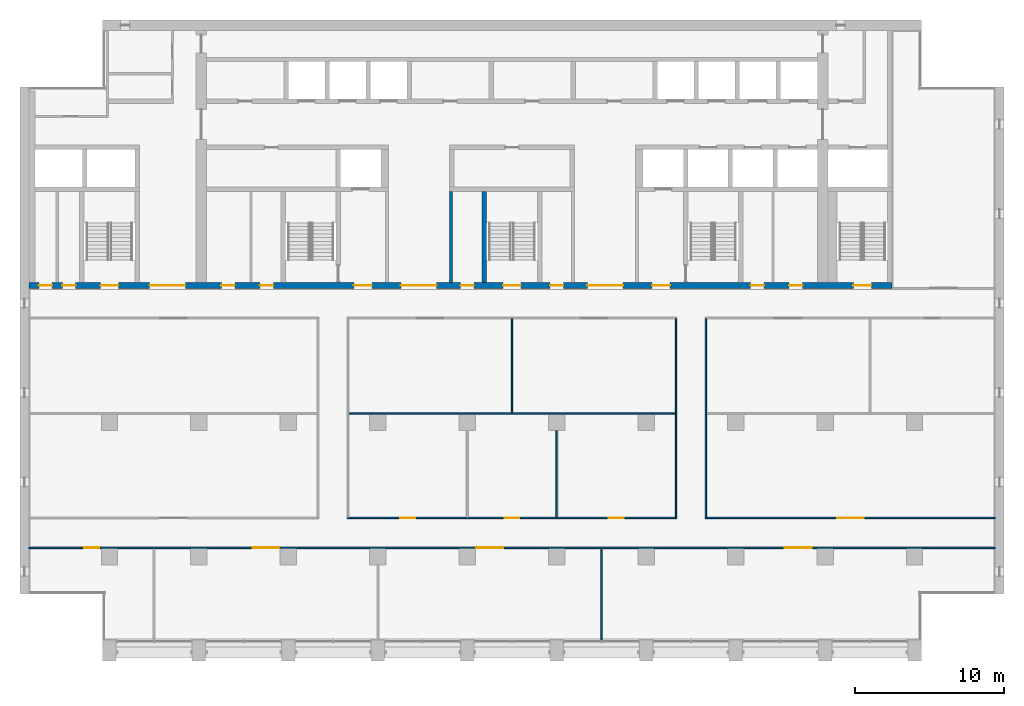
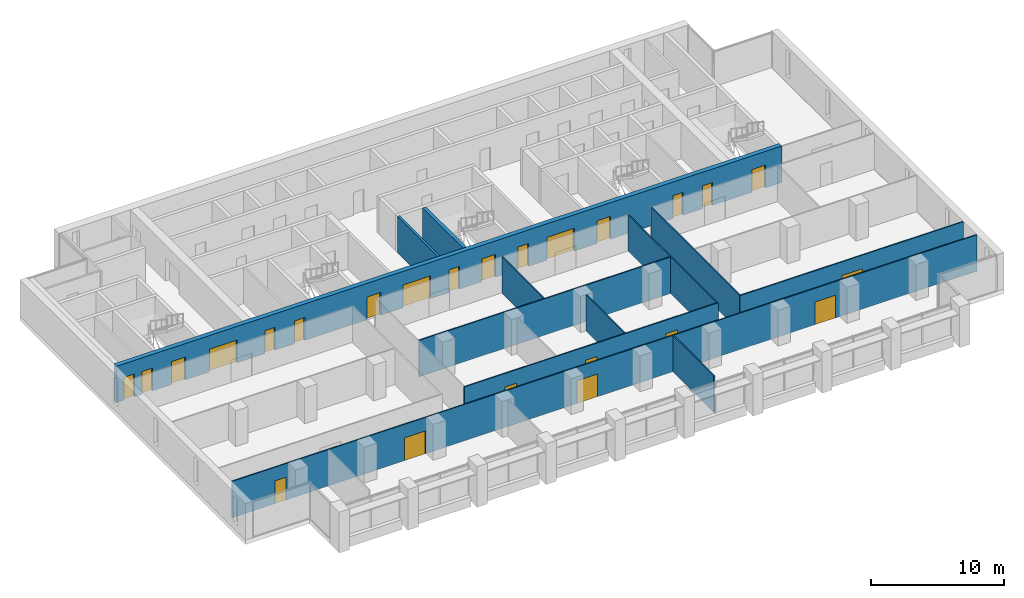
# One storey, part 9 of 17: 24 doors, 12 walls, 24 openings.
"""IFC4 building model written with IfcOpenShell, lengths in metres."""

from ifc_helpers import new_model, si_unit, direction, frame, frame_2d, origin, place, context, subcontext, project, spatial, rectangle, extrude, material, layer, layer_set, type_object, element, fill, save


model = new_model("IFC4")

# Units and contexts
model_context = context("Model", 3, precision=1e-05, world=origin(), true_north=direction((0.0, 1.0)))
body_context = subcontext(model_context, "Body", "Model", "MODEL_VIEW")
ifc_project = project(units=[si_unit("LENGTHUNIT", "METRE"), si_unit("AREAUNIT", "SQUARE_METRE"), si_unit("VOLUMEUNIT", "CUBIC_METRE"), si_unit("PLANEANGLEUNIT", "RADIAN"), si_unit("MASSUNIT", "GRAM", prefix="KILO")], contexts=[model_context])

# Site, building, storey
site_placement = place(None, origin())
site = spatial("IfcSite", under=ifc_project, at=site_placement, CompositionType="ELEMENT")
building_placement = place(site_placement, origin())
building = spatial("IfcBuilding", under=site, at=building_placement, Name="Calvaro Tower", CompositionType="ELEMENT")
storey_placement = place(building_placement, frame((0.0, 0.0, 189.25)))
storey = spatial("IfcBuildingStorey", under=building, at=storey_placement, Name="L47", CompositionType="ELEMENT", Elevation=189.25)

# Walls
ifc_material_1 = material(Name="Blockwork partition", Category="masonry")
ifc_layer_1 = layer(ifc_material_1, 0.199951171875)
ifc_layer_set_1 = layer_set([ifc_layer_1], Name="Blockwork partition")
wall_type_1 = type_object("IfcWallType", Name="Core partition 200 REI 120", PredefinedType="PARTITIONING", material=ifc_layer_set_1)
wall_1_placement = place(storey_placement, frame((34.89990234375, 28.39990234375, 0.0), z_axis=(0.0, 0.0, 1.0), x_axis=(0.0, 1.0, 0.0)))
element("IfcWall", 1, at=wall_1_placement, inside=storey, type_object=wall_type_1, Name="Core partition", PredefinedType="PARTITIONING", context=body_context, shape_type="SweptSolid", body=[
    extrude(rectangle(XDim=6.10009765625, YDim=0.199951171875, at=frame_2d((3.050048828125, 0.0))), origin(), (0.0, 0.0, 1.0), 3.35009765625),
])
ifc_material_2 = material(Name="Concrete C50/60", Category="concrete")
ifc_layer_2 = layer(ifc_material_2, 0.300048828125)
ifc_layer_set_2 = layer_set([ifc_layer_2], Name="Concrete C50/60")
wall_type_2 = type_object("IfcWallType", Name="Core wall C50/60 300", PredefinedType="SHEAR", material=ifc_layer_set_2)
wall_2_placement = place(storey_placement, frame((37.14990234375, 28.39990234375, 0.0), z_axis=(0.0, 0.0, 1.0), x_axis=(0.0, 1.0, 0.0)))
element("IfcWall", 2, at=wall_2_placement, inside=storey, type_object=wall_type_2, Name="Core wall, stair enclosure", PredefinedType="SHEAR", context=body_context, shape_type="SweptSolid", body=[
    extrude(rectangle(XDim=6.10009765625, YDim=0.300048828125, at=frame_2d((3.050048828125, 0.0))), origin(), (0.0, 0.0, 1.0), 3.35009765625),
])

# Wall, openings, doors
ifc_material_3 = material(Name="Concrete C50/60", Category="concrete")
ifc_layer_3 = layer(ifc_material_3, 0.39990234375)
ifc_layer_set_3 = layer_set([ifc_layer_3], Name="Concrete C50/60")
wall_type_3 = type_object("IfcWallType", Name="Core wall C50/60 400", PredefinedType="SHEAR", material=ifc_layer_set_3)
wall_3_placement = place(storey_placement, frame((6.60009765625, 28.199951171875, 0.0), z_axis=(0.0, 0.0, 1.0), x_axis=(1.0, 0.0, 0.0)))
wall_3 = element("IfcWall", 3, at=wall_3_placement, inside=storey, type_object=wall_type_3, Name="Core wall, front", PredefinedType="SHEAR", context=body_context, shape_type="SweptSolid", body=[
    extrude(rectangle(XDim=57.89990234375, YDim=0.39990234375, at=frame_2d((28.949951171875, 0.0))), origin(), (0.0, 0.0, 1.0), 3.35009765625),
])
opening_1_placement = place(wall_3_placement, frame((12.91259765625, 0.0, 0.0)))
opening_1 = element("IfcOpeningElement", 4, at=opening_1_placement, cuts=wall_3, Name="Opening RD9E", PredefinedType="OPENING", context=body_context, shape_type="SweptSolid", body=[
    extrude(rectangle(XDim=0.89990234375, YDim=2.10009765625, at=frame_2d((0.449951171875, 1.050048828125))), frame((0.0, 0.2099609375, 0.0), z_axis=(0.0, -1.0, 0.0), x_axis=(1.0, 0.0, 0.0)), (0.0, 0.0, 1.0), 0.419921875),
])
opening_2_placement = place(wall_3_placement, frame((15.487548828125, 0.0, 0.0)))
opening_2 = element("IfcOpeningElement", 5, at=opening_2_placement, cuts=wall_3, Name="Opening RD9E", PredefinedType="OPENING", context=body_context, shape_type="SweptSolid", body=[
    extrude(rectangle(XDim=0.89990234375, YDim=2.10009765625, at=frame_2d((0.449951171875, 1.050048828125))), frame((0.0, 0.2099609375, 0.0), z_axis=(0.0, -1.0, 0.0), x_axis=(1.0, 0.0, 0.0)), (0.0, 0.0, 1.0), 0.419921875),
])
opening_3_placement = place(wall_3_placement, frame((48.41259765625, 0.0, 0.0)))
opening_3 = element("IfcOpeningElement", 6, at=opening_3_placement, cuts=wall_3, Name="Opening RD9E", PredefinedType="OPENING", context=body_context, shape_type="SweptSolid", body=[
    extrude(rectangle(XDim=0.89990234375, YDim=2.10009765625, at=frame_2d((0.449951171875, 1.050048828125))), frame((0.0, 0.2099609375, 0.0), z_axis=(0.0, -1.0, 0.0), x_axis=(1.0, 0.0, 0.0)), (0.0, 0.0, 1.0), 0.419921875),
])
opening_4_placement = place(wall_3_placement, frame((50.987548828125, 0.0, 0.0)))
opening_4 = element("IfcOpeningElement", 7, at=opening_4_placement, cuts=wall_3, Name="Opening RD9E", PredefinedType="OPENING", context=body_context, shape_type="SweptSolid", body=[
    extrude(rectangle(XDim=0.89990234375, YDim=2.10009765625, at=frame_2d((0.449951171875, 1.050048828125))), frame((0.0, 0.2099609375, 0.0), z_axis=(0.0, -1.0, 0.0), x_axis=(1.0, 0.0, 0.0)), (0.0, 0.0, 1.0), 0.419921875),
])
opening_5_placement = place(wall_3_placement, frame((0.66259765625, 0.0, 0.0)))
opening_5 = element("IfcOpeningElement", 8, at=opening_5_placement, cuts=wall_3, Name="Opening RD9E", PredefinedType="OPENING", context=body_context, shape_type="SweptSolid", body=[
    extrude(rectangle(XDim=0.89990234375, YDim=2.10009765625, at=frame_2d((0.449951171875, 1.050048828125))), frame((0.0, 0.2099609375, 0.0), z_axis=(0.0, -1.0, 0.0), x_axis=(1.0, 0.0, 0.0)), (0.0, 0.0, 1.0), 0.419921875),
])
opening_6_placement = place(wall_3_placement, frame((2.237548828125, 0.0, 0.0)))
opening_6 = element("IfcOpeningElement", 9, at=opening_6_placement, cuts=wall_3, Name="Opening RD9C", PredefinedType="OPENING", context=body_context, shape_type="SweptSolid", body=[
    extrude(rectangle(XDim=0.89990234375, YDim=2.10009765625, at=frame_2d((0.449951171875, 1.050048828125))), frame((0.0, 0.2099609375, 0.0), z_axis=(0.0, -1.0, 0.0), x_axis=(1.0, 0.0, 0.0)), (0.0, 0.0, 1.0), 0.419921875),
])
opening_7_placement = place(wall_3_placement, frame((4.800048828125, 0.0, 0.0)))
opening_7 = element("IfcOpeningElement", 10, at=opening_7_placement, cuts=wall_3, Name="Opening SD12D", PredefinedType="OPENING", context=body_context, shape_type="SweptSolid", body=[
    extrude(rectangle(XDim=1.199951171875, YDim=2.10009765625, at=frame_2d((0.60009765625, 1.050048828125))), frame((0.0, 0.2099609375, 0.0), z_axis=(0.0, -1.0, 0.0), x_axis=(1.0, 0.0, 0.0)), (0.0, 0.0, 1.0), 0.419921875),
])
opening_8_placement = place(wall_3_placement, frame((31.800048828125, 0.0, 0.0)))
opening_8 = element("IfcOpeningElement", 11, at=opening_8_placement, cuts=wall_3, Name="Opening SD12D", PredefinedType="OPENING", context=body_context, shape_type="SweptSolid", body=[
    extrude(rectangle(XDim=1.199951171875, YDim=2.10009765625, at=frame_2d((0.60009765625, 1.050048828125))), frame((0.0, 0.2099609375, 0.0), z_axis=(0.0, -1.0, 0.0), x_axis=(1.0, 0.0, 0.0)), (0.0, 0.0, 1.0), 0.419921875),
])
opening_9_placement = place(wall_3_placement, frame((55.300048828125, 0.0, 0.0)))
opening_9 = element("IfcOpeningElement", 12, at=opening_9_placement, cuts=wall_3, Name="Opening SD12D", PredefinedType="OPENING", context=body_context, shape_type="SweptSolid", body=[
    extrude(rectangle(XDim=1.199951171875, YDim=2.10009765625, at=frame_2d((0.60009765625, 1.050048828125))), frame((0.0, 0.2099609375, 0.0), z_axis=(0.0, -1.0, 0.0), x_axis=(1.0, 0.0, 0.0)), (0.0, 0.0, 1.0), 0.419921875),
])
opening_10_placement = place(wall_3_placement, frame((21.800048828125, 0.0, 0.0)))
opening_10 = element("IfcOpeningElement", 13, at=opening_10_placement, cuts=wall_3, Name="Opening FD12F", PredefinedType="OPENING", context=body_context, shape_type="SweptSolid", body=[
    extrude(rectangle(XDim=1.199951171875, YDim=2.10009765625, at=frame_2d((0.60009765625, 1.050048828125))), frame((0.0, 0.2099609375, 0.0), z_axis=(0.0, -1.0, 0.0), x_axis=(1.0, 0.0, 0.0)), (0.0, 0.0, 1.0), 0.419921875),
])
opening_11_placement = place(wall_3_placement, frame((41.800048828125, 0.0, 0.0)))
opening_11 = element("IfcOpeningElement", 14, at=opening_11_placement, cuts=wall_3, Name="Opening FD12F", PredefinedType="OPENING", context=body_context, shape_type="SweptSolid", body=[
    extrude(rectangle(XDim=1.199951171875, YDim=2.10009765625, at=frame_2d((0.60009765625, 1.050048828125))), frame((0.0, 0.2099609375, 0.0), z_axis=(0.0, -1.0, 0.0), x_axis=(1.0, 0.0, 0.0)), (0.0, 0.0, 1.0), 0.419921875),
])
opening_12_placement = place(wall_3_placement, frame((24.949951171875, 0.0, 0.0)))
opening_12 = element("IfcOpeningElement", 15, at=opening_12_placement, cuts=wall_3, Name="Opening DD24D", PredefinedType="OPENING", context=body_context, shape_type="SweptSolid", body=[
    extrude(rectangle(XDim=2.39990234375, YDim=2.10009765625, at=frame_2d((1.199951171875, 1.050048828125))), frame((0.0, 0.2099609375, 0.0), z_axis=(0.0, -1.0, 0.0), x_axis=(1.0, 0.0, 0.0)), (0.0, 0.0, 1.0), 0.419921875),
])
opening_13_placement = place(wall_3_placement, frame((37.449951171875, 0.0, 0.0)))
opening_13 = element("IfcOpeningElement", 16, at=opening_13_placement, cuts=wall_3, Name="Opening DD24D", PredefinedType="OPENING", context=body_context, shape_type="SweptSolid", body=[
    extrude(rectangle(XDim=2.39990234375, YDim=2.10009765625, at=frame_2d((1.199951171875, 1.050048828125))), frame((0.0, 0.2099609375, 0.0), z_axis=(0.0, -1.0, 0.0), x_axis=(1.0, 0.0, 0.0)), (0.0, 0.0, 1.0), 0.419921875),
])
opening_14_placement = place(wall_3_placement, frame((8.10009765625, 0.0, 0.0)))
opening_14 = element("IfcOpeningElement", 17, at=opening_14_placement, cuts=wall_3, Name="Opening DD24D", PredefinedType="OPENING", context=body_context, shape_type="SweptSolid", body=[
    extrude(rectangle(XDim=2.39990234375, YDim=2.10009765625, at=frame_2d((1.199951171875, 1.050048828125))), frame((0.0, 0.2099609375, 0.0), z_axis=(0.0, -1.0, 0.0), x_axis=(1.0, 0.0, 0.0)), (0.0, 0.0, 1.0), 0.419921875),
])
opening_15_placement = place(wall_3_placement, frame((28.949951171875, 0.0, 0.0)))
opening_15 = element("IfcOpeningElement", 18, at=opening_15_placement, cuts=wall_3, Name="Opening RD9E", PredefinedType="OPENING", context=body_context, shape_type="SweptSolid", body=[
    extrude(rectangle(XDim=0.89990234375, YDim=2.10009765625, at=frame_2d((0.449951171875, 1.050048828125))), frame((0.0, 0.2099609375, 0.0), z_axis=(0.0, -1.0, 0.0), x_axis=(1.0, 0.0, 0.0)), (0.0, 0.0, 1.0), 0.419921875),
])
opening_16_placement = place(wall_3_placement, frame((34.949951171875, 0.0, 0.0)))
opening_16 = element("IfcOpeningElement", 19, at=opening_16_placement, cuts=wall_3, Name="Opening RD9E", PredefinedType="OPENING", context=body_context, shape_type="SweptSolid", body=[
    extrude(rectangle(XDim=0.89990234375, YDim=2.10009765625, at=frame_2d((0.449951171875, 1.050048828125))), frame((0.0, 0.2099609375, 0.0), z_axis=(0.0, -1.0, 0.0), x_axis=(1.0, 0.0, 0.0)), (0.0, 0.0, 1.0), 0.419921875),
])
ifc_material_4 = material(Name="Steel door set", Category="steel")
door_type_1 = type_object("IfcDoorType", Name="Fire door 1200 FD60S", OperationType="SINGLE_SWING_LEFT", PredefinedType="DOOR", material=ifc_material_4)
door_1_placement = place(opening_10_placement, origin())
door_1 = element("IfcDoor", 20, at=door_1_placement, inside=storey, type_object=door_type_1, Name="Fire door", OperationType="SINGLE_SWING_LEFT", OverallHeight=2.10009765625, OverallWidth=1.199951171875, PredefinedType="DOOR", context=body_context, shape_type="SweptSolid", body=[
    extrude(rectangle(XDim=1.199951171875, YDim=2.10009765625, at=frame_2d((0.60009765625, 1.050048828125))), frame((0.0, 0.02490234375, 0.0), z_axis=(0.0, -1.0, 0.0), x_axis=(1.0, 0.0, 0.0)), (0.0, 0.0, 1.0), 0.050048828125),
])
fill(opening_10, door_1)
door_2_placement = place(opening_11_placement, origin())
door_2 = element("IfcDoor", 21, at=door_2_placement, inside=storey, type_object=door_type_1, Name="Fire door", OperationType="SINGLE_SWING_LEFT", OverallHeight=2.10009765625, OverallWidth=1.199951171875, PredefinedType="DOOR", context=body_context, shape_type="SweptSolid", body=[
    extrude(rectangle(XDim=1.199951171875, YDim=2.10009765625, at=frame_2d((0.60009765625, 1.050048828125))), frame((0.0, 0.02490234375, 0.0), z_axis=(0.0, -1.0, 0.0), x_axis=(1.0, 0.0, 0.0)), (0.0, 0.0, 1.0), 0.050048828125),
])
fill(opening_11, door_2)
ifc_material_5 = material(Name="Steel door set", Category="steel")
door_type_2 = type_object("IfcDoorType", Name="Lobby double door 2400 FD30S", OperationType="DOUBLE_DOOR_SINGLE_SWING", PredefinedType="DOOR", material=ifc_material_5)
door_3_placement = place(opening_12_placement, origin())
door_3 = element("IfcDoor", 22, at=door_3_placement, inside=storey, type_object=door_type_2, Name="Lobby double door", OperationType="DOUBLE_DOOR_SINGLE_SWING", OverallHeight=2.10009765625, OverallWidth=2.39990234375, PredefinedType="DOOR", context=body_context, shape_type="SweptSolid", body=[
    extrude(rectangle(XDim=2.39990234375, YDim=2.10009765625, at=frame_2d((1.199951171875, 1.050048828125))), frame((0.0, 0.02490234375, 0.0), z_axis=(0.0, -1.0, 0.0), x_axis=(1.0, 0.0, 0.0)), (0.0, 0.0, 1.0), 0.050048828125),
])
fill(opening_12, door_3)
door_4_placement = place(opening_13_placement, origin())
door_4 = element("IfcDoor", 23, at=door_4_placement, inside=storey, type_object=door_type_2, Name="Lobby double door", OperationType="DOUBLE_DOOR_SINGLE_SWING", OverallHeight=2.10009765625, OverallWidth=2.39990234375, PredefinedType="DOOR", context=body_context, shape_type="SweptSolid", body=[
    extrude(rectangle(XDim=2.39990234375, YDim=2.10009765625, at=frame_2d((1.199951171875, 1.050048828125))), frame((0.0, 0.02490234375, 0.0), z_axis=(0.0, -1.0, 0.0), x_axis=(1.0, 0.0, 0.0)), (0.0, 0.0, 1.0), 0.050048828125),
])
fill(opening_13, door_4)
door_5_placement = place(opening_14_placement, origin())
door_5 = element("IfcDoor", 24, at=door_5_placement, inside=storey, type_object=door_type_2, Name="Lobby double door", OperationType="DOUBLE_DOOR_SINGLE_SWING", OverallHeight=2.10009765625, OverallWidth=2.39990234375, PredefinedType="DOOR", context=body_context, shape_type="SweptSolid", body=[
    extrude(rectangle(XDim=2.39990234375, YDim=2.10009765625, at=frame_2d((1.199951171875, 1.050048828125))), frame((0.0, 0.02490234375, 0.0), z_axis=(0.0, -1.0, 0.0), x_axis=(1.0, 0.0, 0.0)), (0.0, 0.0, 1.0), 0.050048828125),
])
fill(opening_14, door_5)
ifc_material_6 = material(Name="Steel door set", Category="steel")
door_type_3 = type_object("IfcDoorType", Name="Room door 900 FD30", OperationType="SINGLE_SWING_LEFT", PredefinedType="DOOR", material=ifc_material_6)
door_6_placement = place(opening_6_placement, origin())
door_6 = element("IfcDoor", 25, at=door_6_placement, inside=storey, type_object=door_type_3, Name="Room door", OperationType="SINGLE_SWING_LEFT", OverallHeight=2.10009765625, OverallWidth=0.89990234375, PredefinedType="DOOR", context=body_context, shape_type="SweptSolid", body=[
    extrude(rectangle(XDim=0.89990234375, YDim=2.10009765625, at=frame_2d((0.449951171875, 1.050048828125))), frame((0.0, 0.02490234375, 0.0), z_axis=(0.0, -1.0, 0.0), x_axis=(1.0, 0.0, 0.0)), (0.0, 0.0, 1.0), 0.050048828125),
])
fill(opening_6, door_6)
ifc_material_7 = material(Name="Steel door set", Category="steel")
door_type_4 = type_object("IfcDoorType", Name="Room door 900 FD60", OperationType="SINGLE_SWING_LEFT", PredefinedType="DOOR", material=ifc_material_7)
door_7_placement = place(opening_1_placement, origin())
door_7 = element("IfcDoor", 26, at=door_7_placement, inside=storey, type_object=door_type_4, Name="Room door", OperationType="SINGLE_SWING_LEFT", OverallHeight=2.10009765625, OverallWidth=0.89990234375, PredefinedType="DOOR", context=body_context, shape_type="SweptSolid", body=[
    extrude(rectangle(XDim=0.89990234375, YDim=2.10009765625, at=frame_2d((0.449951171875, 1.050048828125))), frame((0.0, 0.02490234375, 0.0), z_axis=(0.0, -1.0, 0.0), x_axis=(1.0, 0.0, 0.0)), (0.0, 0.0, 1.0), 0.050048828125),
])
fill(opening_1, door_7)
door_8_placement = place(opening_2_placement, origin())
door_8 = element("IfcDoor", 27, at=door_8_placement, inside=storey, type_object=door_type_4, Name="Room door", OperationType="SINGLE_SWING_RIGHT", OverallHeight=2.10009765625, OverallWidth=0.89990234375, PredefinedType="DOOR", context=body_context, shape_type="SweptSolid", body=[
    extrude(rectangle(XDim=0.89990234375, YDim=2.10009765625, at=frame_2d((0.449951171875, 1.050048828125))), frame((0.0, 0.02490234375, 0.0), z_axis=(0.0, -1.0, 0.0), x_axis=(1.0, 0.0, 0.0)), (0.0, 0.0, 1.0), 0.050048828125),
])
fill(opening_2, door_8)
door_9_placement = place(opening_3_placement, origin())
door_9 = element("IfcDoor", 28, at=door_9_placement, inside=storey, type_object=door_type_4, Name="Room door", OperationType="SINGLE_SWING_LEFT", OverallHeight=2.10009765625, OverallWidth=0.89990234375, PredefinedType="DOOR", context=body_context, shape_type="SweptSolid", body=[
    extrude(rectangle(XDim=0.89990234375, YDim=2.10009765625, at=frame_2d((0.449951171875, 1.050048828125))), frame((0.0, 0.02490234375, 0.0), z_axis=(0.0, -1.0, 0.0), x_axis=(1.0, 0.0, 0.0)), (0.0, 0.0, 1.0), 0.050048828125),
])
fill(opening_3, door_9)
door_10_placement = place(opening_4_placement, origin())
door_10 = element("IfcDoor", 29, at=door_10_placement, inside=storey, type_object=door_type_4, Name="Room door", OperationType="SINGLE_SWING_LEFT", OverallHeight=2.10009765625, OverallWidth=0.89990234375, PredefinedType="DOOR", context=body_context, shape_type="SweptSolid", body=[
    extrude(rectangle(XDim=0.89990234375, YDim=2.10009765625, at=frame_2d((0.449951171875, 1.050048828125))), frame((0.0, 0.02490234375, 0.0), z_axis=(0.0, -1.0, 0.0), x_axis=(1.0, 0.0, 0.0)), (0.0, 0.0, 1.0), 0.050048828125),
])
fill(opening_4, door_10)
door_11_placement = place(opening_5_placement, origin())
door_11 = element("IfcDoor", 30, at=door_11_placement, inside=storey, type_object=door_type_4, Name="Room door", OperationType="SINGLE_SWING_LEFT", OverallHeight=2.10009765625, OverallWidth=0.89990234375, PredefinedType="DOOR", context=body_context, shape_type="SweptSolid", body=[
    extrude(rectangle(XDim=0.89990234375, YDim=2.10009765625, at=frame_2d((0.449951171875, 1.050048828125))), frame((0.0, 0.02490234375, 0.0), z_axis=(0.0, -1.0, 0.0), x_axis=(1.0, 0.0, 0.0)), (0.0, 0.0, 1.0), 0.050048828125),
])
fill(opening_5, door_11)
door_12_placement = place(opening_15_placement, origin())
door_12 = element("IfcDoor", 31, at=door_12_placement, inside=storey, type_object=door_type_4, Name="Room door", OperationType="SINGLE_SWING_LEFT", OverallHeight=2.10009765625, OverallWidth=0.89990234375, PredefinedType="DOOR", context=body_context, shape_type="SweptSolid", body=[
    extrude(rectangle(XDim=0.89990234375, YDim=2.10009765625, at=frame_2d((0.449951171875, 1.050048828125))), frame((0.0, 0.02490234375, 0.0), z_axis=(0.0, -1.0, 0.0), x_axis=(1.0, 0.0, 0.0)), (0.0, 0.0, 1.0), 0.050048828125),
])
fill(opening_15, door_12)
door_13_placement = place(opening_16_placement, origin())
door_13 = element("IfcDoor", 32, at=door_13_placement, inside=storey, type_object=door_type_4, Name="Room door", OperationType="SINGLE_SWING_LEFT", OverallHeight=2.10009765625, OverallWidth=0.89990234375, PredefinedType="DOOR", context=body_context, shape_type="SweptSolid", body=[
    extrude(rectangle(XDim=0.89990234375, YDim=2.10009765625, at=frame_2d((0.449951171875, 1.050048828125))), frame((0.0, 0.02490234375, 0.0), z_axis=(0.0, -1.0, 0.0), x_axis=(1.0, 0.0, 0.0)), (0.0, 0.0, 1.0), 0.050048828125),
])
fill(opening_16, door_13)
ifc_material_8 = material(Name="Steel door set", Category="steel")
door_type_5 = type_object("IfcDoorType", Name="Stair door 1200 FD30S", OperationType="SINGLE_SWING_LEFT", PredefinedType="DOOR", material=ifc_material_8)
door_14_placement = place(opening_7_placement, origin())
door_14 = element("IfcDoor", 33, at=door_14_placement, inside=storey, type_object=door_type_5, Name="Stair door", OperationType="SINGLE_SWING_LEFT", OverallHeight=2.10009765625, OverallWidth=1.199951171875, PredefinedType="DOOR", context=body_context, shape_type="SweptSolid", body=[
    extrude(rectangle(XDim=1.199951171875, YDim=2.10009765625, at=frame_2d((0.60009765625, 1.050048828125))), frame((0.0, 0.02490234375, 0.0), z_axis=(0.0, -1.0, 0.0), x_axis=(1.0, 0.0, 0.0)), (0.0, 0.0, 1.0), 0.050048828125),
])
fill(opening_7, door_14)
door_15_placement = place(opening_8_placement, origin())
door_15 = element("IfcDoor", 34, at=door_15_placement, inside=storey, type_object=door_type_5, Name="Stair door", OperationType="SINGLE_SWING_LEFT", OverallHeight=2.10009765625, OverallWidth=1.199951171875, PredefinedType="DOOR", context=body_context, shape_type="SweptSolid", body=[
    extrude(rectangle(XDim=1.199951171875, YDim=2.10009765625, at=frame_2d((0.60009765625, 1.050048828125))), frame((0.0, 0.02490234375, 0.0), z_axis=(0.0, -1.0, 0.0), x_axis=(1.0, 0.0, 0.0)), (0.0, 0.0, 1.0), 0.050048828125),
])
fill(opening_8, door_15)
door_16_placement = place(opening_9_placement, origin())
door_16 = element("IfcDoor", 35, at=door_16_placement, inside=storey, type_object=door_type_5, Name="Stair door", OperationType="SINGLE_SWING_LEFT", OverallHeight=2.10009765625, OverallWidth=1.199951171875, PredefinedType="DOOR", context=body_context, shape_type="SweptSolid", body=[
    extrude(rectangle(XDim=1.199951171875, YDim=2.10009765625, at=frame_2d((0.60009765625, 1.050048828125))), frame((0.0, 0.02490234375, 0.0), z_axis=(0.0, -1.0, 0.0), x_axis=(1.0, 0.0, 0.0)), (0.0, 0.0, 1.0), 0.050048828125),
])
fill(opening_9, door_16)

ifc_material_9 = material(Name="Plasterboard on steel studs", Category="steel")
ifc_layer_4 = layer(ifc_material_9, 0.10009765625)
ifc_layer_set_4 = layer_set([ifc_layer_4], Name="Plasterboard on steel studs")
wall_type_4 = type_object("IfcWallType", Name="Partition 100", PredefinedType="PARTITIONING", material=ifc_layer_set_4)
wall_4_placement = place(storey_placement, frame((6.60009765625, 10.60009765625, 0.0), z_axis=(0.0, 0.0, 1.0), x_axis=(1.0, 0.0, 0.0)))
wall_4 = element("IfcWall", 36, at=wall_4_placement, inside=storey, type_object=wall_type_4, Name="Partition T27.W001", PredefinedType="PARTITIONING", context=body_context, shape_type="SweptSolid", body=[
    extrude(rectangle(XDim=64.7998046875, YDim=0.10009765625, at=frame_2d((32.39990234375, 0.0))), origin(), (0.0, 0.0, 1.0), 3.35009765625),
])
opening_17_placement = place(wall_4_placement, frame((15.0, 0.0, 0.0)))
opening_17 = element("IfcOpeningElement", 37, at=opening_17_placement, cuts=wall_4, Name="Opening T27.001", PredefinedType="OPENING", context=body_context, shape_type="SweptSolid", body=[
    extrude(rectangle(XDim=1.800048828125, YDim=2.10009765625, at=frame_2d((0.89990234375, 1.050048828125))), frame((0.0, 0.06005859375, 0.0), z_axis=(0.0, -1.0, 0.0), x_axis=(1.0, 0.0, 0.0)), (0.0, 0.0, 1.0), 0.1201171875),
])
opening_18_placement = place(wall_4_placement, frame((30.0, 0.0, 0.0)))
opening_18 = element("IfcOpeningElement", 38, at=opening_18_placement, cuts=wall_4, Name="Opening T27.002", PredefinedType="OPENING", context=body_context, shape_type="SweptSolid", body=[
    extrude(rectangle(XDim=1.800048828125, YDim=2.10009765625, at=frame_2d((0.89990234375, 1.050048828125))), frame((0.0, 0.06005859375, 0.0), z_axis=(0.0, -1.0, 0.0), x_axis=(1.0, 0.0, 0.0)), (0.0, 0.0, 1.0), 0.1201171875),
])
opening_19_placement = place(wall_4_placement, frame((50.699951171875, 0.0, 0.0)))
opening_19 = element("IfcOpeningElement", 39, at=opening_19_placement, cuts=wall_4, Name="Opening T27.003", PredefinedType="OPENING", context=body_context, shape_type="SweptSolid", body=[
    extrude(rectangle(XDim=1.800048828125, YDim=2.10009765625, at=frame_2d((0.89990234375, 1.050048828125))), frame((0.0, 0.06005859375, 0.0), z_axis=(0.0, -1.0, 0.0), x_axis=(1.0, 0.0, 0.0)), (0.0, 0.0, 1.0), 0.1201171875),
])
opening_20_placement = place(wall_4_placement, frame((3.699951171875, 0.0, 0.0)))
opening_20 = element("IfcOpeningElement", 40, at=opening_20_placement, cuts=wall_4, Name="Opening T27.004", PredefinedType="OPENING", context=body_context, shape_type="SweptSolid", body=[
    extrude(rectangle(XDim=1.0, YDim=2.10009765625, at=frame_2d((0.5, 1.050048828125))), frame((0.0, 0.06005859375, 0.0), z_axis=(0.0, -1.0, 0.0), x_axis=(1.0, 0.0, 0.0)), (0.0, 0.0, 1.0), 0.1201171875),
])
ifc_material_10 = material(Name="Timber", Category="wood")
door_type_6 = type_object("IfcDoorType", Name="Internal double door 1800 x 2100", OperationType="DOUBLE_DOOR_SINGLE_SWING", PredefinedType="DOOR", material=ifc_material_10)
door_17_placement = place(opening_17_placement, origin())
door_17 = element("IfcDoor", 41, at=door_17_placement, inside=storey, type_object=door_type_6, Name="Door T27.001", OperationType="DOUBLE_DOOR_SINGLE_SWING", OverallHeight=2.10009765625, OverallWidth=1.800048828125, PredefinedType="DOOR", context=body_context, shape_type="SweptSolid", body=[
    extrude(rectangle(XDim=1.800048828125, YDim=2.10009765625, at=frame_2d((0.89990234375, 1.050048828125))), frame((0.0, 0.02490234375, 0.0), z_axis=(0.0, -1.0, 0.0), x_axis=(1.0, 0.0, 0.0)), (0.0, 0.0, 1.0), 0.050048828125),
])
fill(opening_17, door_17)
door_18_placement = place(opening_18_placement, origin())
door_18 = element("IfcDoor", 42, at=door_18_placement, inside=storey, type_object=door_type_6, Name="Door T27.002", OperationType="DOUBLE_DOOR_SINGLE_SWING", OverallHeight=2.10009765625, OverallWidth=1.800048828125, PredefinedType="DOOR", context=body_context, shape_type="SweptSolid", body=[
    extrude(rectangle(XDim=1.800048828125, YDim=2.10009765625, at=frame_2d((0.89990234375, 1.050048828125))), frame((0.0, 0.02490234375, 0.0), z_axis=(0.0, -1.0, 0.0), x_axis=(1.0, 0.0, 0.0)), (0.0, 0.0, 1.0), 0.050048828125),
])
fill(opening_18, door_18)
door_19_placement = place(opening_19_placement, origin())
door_19 = element("IfcDoor", 43, at=door_19_placement, inside=storey, type_object=door_type_6, Name="Door T27.003", OperationType="DOUBLE_DOOR_SINGLE_SWING", OverallHeight=2.10009765625, OverallWidth=1.800048828125, PredefinedType="DOOR", context=body_context, shape_type="SweptSolid", body=[
    extrude(rectangle(XDim=1.800048828125, YDim=2.10009765625, at=frame_2d((0.89990234375, 1.050048828125))), frame((0.0, 0.02490234375, 0.0), z_axis=(0.0, -1.0, 0.0), x_axis=(1.0, 0.0, 0.0)), (0.0, 0.0, 1.0), 0.050048828125),
])
fill(opening_19, door_19)
ifc_material_11 = material(Name="Timber", Category="wood")
door_type_7 = type_object("IfcDoorType", Name="Internal single door 1000 x 2100", OperationType="SINGLE_SWING_LEFT", PredefinedType="DOOR", material=ifc_material_11)
door_20_placement = place(opening_20_placement, origin())
door_20 = element("IfcDoor", 44, at=door_20_placement, inside=storey, type_object=door_type_7, Name="Door T27.004", OperationType="SINGLE_SWING_LEFT", OverallHeight=2.10009765625, OverallWidth=1.0, PredefinedType="DOOR", context=body_context, shape_type="SweptSolid", body=[
    extrude(rectangle(XDim=1.0, YDim=2.10009765625, at=frame_2d((0.5, 1.050048828125))), frame((0.0, 0.02490234375, 0.0), z_axis=(0.0, -1.0, 0.0), x_axis=(1.0, 0.0, 0.0)), (0.0, 0.0, 1.0), 0.050048828125),
])
fill(opening_20, door_20)

wall_5_placement = place(storey_placement, frame((27.949951171875, 12.60009765625, 0.0), z_axis=(0.0, 0.0, 1.0), x_axis=(1.0, 0.0, 0.0)))
wall_5 = element("IfcWall", 45, at=wall_5_placement, inside=storey, type_object=wall_type_4, Name="Partition T27.W003", PredefinedType="PARTITIONING", context=body_context, shape_type="SweptSolid", body=[
    extrude(rectangle(XDim=22.10009765625, YDim=0.10009765625, at=frame_2d((11.050048828125, 0.0))), origin(), (0.0, 0.0, 1.0), 3.35009765625),
])
opening_21_placement = place(wall_5_placement, frame((3.550048828125, 0.0, 0.0)))
opening_21 = element("IfcOpeningElement", 46, at=opening_21_placement, cuts=wall_5, Name="Opening T27.006", PredefinedType="OPENING", context=body_context, shape_type="SweptSolid", body=[
    extrude(rectangle(XDim=1.0, YDim=2.10009765625, at=frame_2d((0.5, 1.050048828125))), frame((0.0, 0.06005859375, 0.0), z_axis=(0.0, -1.0, 0.0), x_axis=(1.0, 0.0, 0.0)), (0.0, 0.0, 1.0), 0.1201171875),
])
opening_22_placement = place(wall_5_placement, frame((10.550048828125, 0.0, 0.0)))
opening_22 = element("IfcOpeningElement", 47, at=opening_22_placement, cuts=wall_5, Name="Opening T27.007", PredefinedType="OPENING", context=body_context, shape_type="SweptSolid", body=[
    extrude(rectangle(XDim=1.0, YDim=2.10009765625, at=frame_2d((0.5, 1.050048828125))), frame((0.0, 0.06005859375, 0.0), z_axis=(0.0, -1.0, 0.0), x_axis=(1.0, 0.0, 0.0)), (0.0, 0.0, 1.0), 0.1201171875),
])
opening_23_placement = place(wall_5_placement, frame((17.550048828125, 0.0, 0.0)))
opening_23 = element("IfcOpeningElement", 48, at=opening_23_placement, cuts=wall_5, Name="Opening T27.008", PredefinedType="OPENING", context=body_context, shape_type="SweptSolid", body=[
    extrude(rectangle(XDim=1.0, YDim=2.10009765625, at=frame_2d((0.5, 1.050048828125))), frame((0.0, 0.06005859375, 0.0), z_axis=(0.0, -1.0, 0.0), x_axis=(1.0, 0.0, 0.0)), (0.0, 0.0, 1.0), 0.1201171875),
])
door_21_placement = place(opening_21_placement, origin())
door_21 = element("IfcDoor", 49, at=door_21_placement, inside=storey, type_object=door_type_7, Name="Door T27.006", OperationType="SINGLE_SWING_LEFT", OverallHeight=2.10009765625, OverallWidth=1.0, PredefinedType="DOOR", context=body_context, shape_type="SweptSolid", body=[
    extrude(rectangle(XDim=1.0, YDim=2.10009765625, at=frame_2d((0.5, 1.050048828125))), frame((0.0, 0.02490234375, 0.0), z_axis=(0.0, -1.0, 0.0), x_axis=(1.0, 0.0, 0.0)), (0.0, 0.0, 1.0), 0.050048828125),
])
fill(opening_21, door_21)
door_22_placement = place(opening_22_placement, origin())
door_22 = element("IfcDoor", 50, at=door_22_placement, inside=storey, type_object=door_type_7, Name="Door T27.007", OperationType="SINGLE_SWING_RIGHT", OverallHeight=2.10009765625, OverallWidth=1.0, PredefinedType="DOOR", context=body_context, shape_type="SweptSolid", body=[
    extrude(rectangle(XDim=1.0, YDim=2.10009765625, at=frame_2d((0.5, 1.050048828125))), frame((0.0, 0.02490234375, 0.0), z_axis=(0.0, -1.0, 0.0), x_axis=(1.0, 0.0, 0.0)), (0.0, 0.0, 1.0), 0.050048828125),
])
fill(opening_22, door_22)
door_23_placement = place(opening_23_placement, origin())
door_23 = element("IfcDoor", 51, at=door_23_placement, inside=storey, type_object=door_type_7, Name="Door T27.008", OperationType="SINGLE_SWING_RIGHT", OverallHeight=2.10009765625, OverallWidth=1.0, PredefinedType="DOOR", context=body_context, shape_type="SweptSolid", body=[
    extrude(rectangle(XDim=1.0, YDim=2.10009765625, at=frame_2d((0.5, 1.050048828125))), frame((0.0, 0.02490234375, 0.0), z_axis=(0.0, -1.0, 0.0), x_axis=(1.0, 0.0, 0.0)), (0.0, 0.0, 1.0), 0.050048828125),
])
fill(opening_23, door_23)

# Wall, opening, door
wall_6_placement = place(storey_placement, frame((51.949951171875, 12.60009765625, 0.0), z_axis=(0.0, 0.0, 1.0), x_axis=(1.0, 0.0, 0.0)))
wall_6 = element("IfcWall", 52, at=wall_6_placement, inside=storey, type_object=wall_type_4, Name="Partition T27.W004", PredefinedType="PARTITIONING", context=body_context, shape_type="SweptSolid", body=[
    extrude(rectangle(XDim=19.449951171875, YDim=0.10009765625, at=frame_2d((9.72509765625, 0.0))), origin(), (0.0, 0.0, 1.0), 3.35009765625),
])
opening_24_placement = place(wall_6_placement, frame((8.85009765625, 0.0, 0.0)))
opening_24 = element("IfcOpeningElement", 53, at=opening_24_placement, cuts=wall_6, Name="Opening T27.009", PredefinedType="OPENING", context=body_context, shape_type="SweptSolid", body=[
    extrude(rectangle(XDim=1.800048828125, YDim=2.10009765625, at=frame_2d((0.89990234375, 1.050048828125))), frame((0.0, 0.06005859375, 0.0), z_axis=(0.0, -1.0, 0.0), x_axis=(1.0, 0.0, 0.0)), (0.0, 0.0, 1.0), 0.1201171875),
])
door_24_placement = place(opening_24_placement, origin())
door_24 = element("IfcDoor", 54, at=door_24_placement, inside=storey, type_object=door_type_6, Name="Door T27.009", OperationType="DOUBLE_DOOR_SINGLE_SWING", OverallHeight=2.10009765625, OverallWidth=1.800048828125, PredefinedType="DOOR", context=body_context, shape_type="SweptSolid", body=[
    extrude(rectangle(XDim=1.800048828125, YDim=2.10009765625, at=frame_2d((0.89990234375, 1.050048828125))), frame((0.0, 0.02490234375, 0.0), z_axis=(0.0, -1.0, 0.0), x_axis=(1.0, 0.0, 0.0)), (0.0, 0.0, 1.0), 0.050048828125),
])
fill(opening_24, door_24)

# Walls
wall_7_placement = place(storey_placement, frame((28.050048828125, 19.60009765625, 0.0), z_axis=(0.0, 0.0, 1.0), x_axis=(1.0, 0.0, 0.0)))
element("IfcWall", 55, at=wall_7_placement, inside=storey, type_object=wall_type_4, Name="Partition T27.W006", PredefinedType="PARTITIONING", context=body_context, shape_type="SweptSolid", body=[
    extrude(rectangle(XDim=21.89990234375, YDim=0.10009765625, at=frame_2d((10.949951171875, 0.0))), origin(), (0.0, 0.0, 1.0), 3.35009765625),
])
wall_8_placement = place(storey_placement, frame((39.0, 19.64990234375, 0.0), z_axis=(0.0, 0.0, 1.0), x_axis=(0.0, 1.0, 0.0)))
element("IfcWall", 56, at=wall_8_placement, inside=storey, type_object=wall_type_4, Name="Partition T27.W017", PredefinedType="PARTITIONING", context=body_context, shape_type="SweptSolid", body=[
    extrude(rectangle(XDim=6.300048828125, YDim=0.10009765625, at=frame_2d((3.14990234375, 0.0))), origin(), (0.0, 0.0, 1.0), 3.35009765625),
])
wall_9_placement = place(storey_placement, frame((42.0, 12.64990234375, 0.0), z_axis=(0.0, 0.0, 1.0), x_axis=(0.0, 1.0, 0.0)))
element("IfcWall", 57, at=wall_9_placement, inside=storey, type_object=wall_type_4, Name="Partition T27.W018", PredefinedType="PARTITIONING", context=body_context, shape_type="SweptSolid", body=[
    extrude(rectangle(XDim=5.800048828125, YDim=0.10009765625, at=frame_2d((2.89990234375, 0.0))), origin(), (0.0, 0.0, 1.0), 3.35009765625),
])
wall_10_placement = place(storey_placement, frame((45.0, 4.39990234375, 0.0), z_axis=(0.0, 0.0, 1.0), x_axis=(0.0, 1.0, 0.0)))
element("IfcWall", 58, at=wall_10_placement, inside=storey, type_object=wall_type_4, Name="Partition T27.W019", PredefinedType="PARTITIONING", context=body_context, shape_type="SweptSolid", body=[
    extrude(rectangle(XDim=6.150146484375, YDim=0.10009765625, at=frame_2d((3.0751953125, 0.0))), origin(), (0.0, 0.0, 1.0), 3.35009765625),
])
for number, where, z_axis, x_axis, name in (
    (59, (50.0, 12.64990234375, 0.0), (0.0, 0.0, 1.0), (0.0, 1.0, 0.0), "Partition T27.W020"),
    (60, (52.0, 12.64990234375, 0.0), (0.0, 0.0, 1.0), (0.0, 1.0, 0.0), "Partition T27.W021"),
):
    element("IfcWall", number, at=place(storey_placement, frame(where, z_axis=z_axis, x_axis=x_axis)), inside=storey, type_object=wall_type_4, Name=name, PredefinedType="PARTITIONING", context=body_context, shape_type="SweptSolid", body=[
        extrude(rectangle(XDim=13.300048828125, YDim=0.10009765625, at=frame_2d((6.64990234375, 0.0))), origin(), (0.0, 0.0, 1.0), 3.35009765625),
    ])

save(model, "model.ifc")
